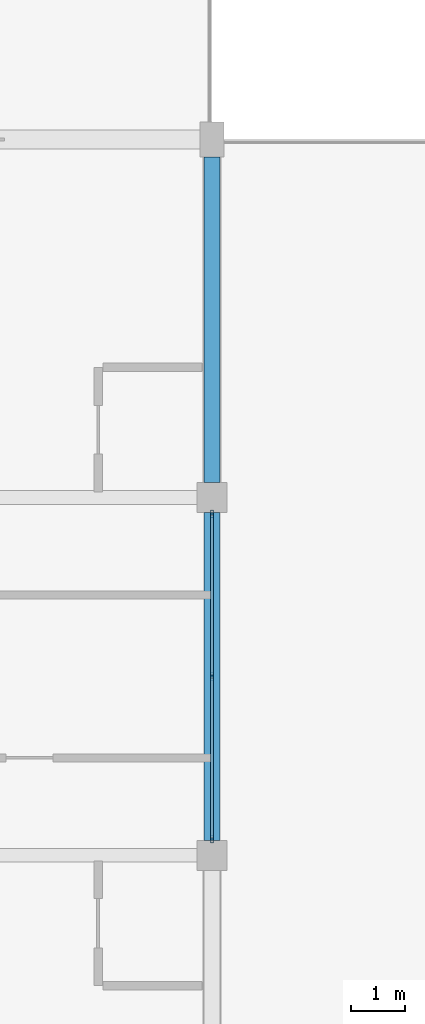
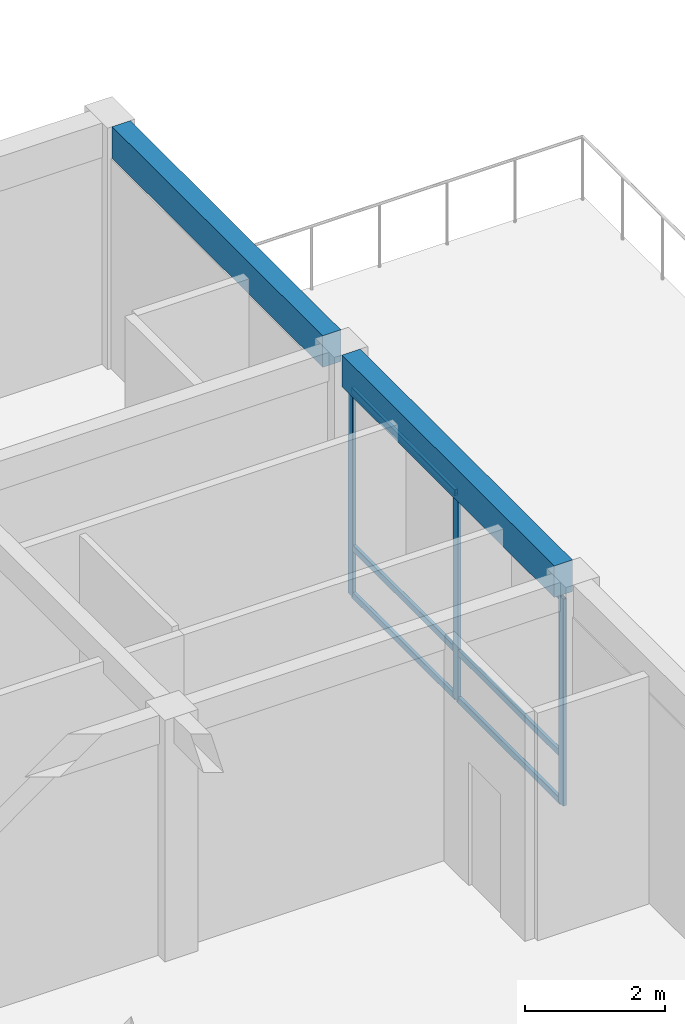
# One storey, part 47 of 92: 9 members, 2 beams, 1 element without a shape of its own.
"""IFC4 building model written with IfcOpenShell, lengths in metres."""

from ifc_helpers import new_model, si_unit, direction, frame, origin, origin_2d, place, context, subcontext, project, spatial, rectangle, hollow_rectangle, extrude, material, material_profile, profile_set, type_object, element, aggregate, save


model = new_model("IFC4")

# Units and contexts
model_context = context("Model", 3, precision=1e-05, world=origin(), true_north=direction((0.0, 1.0)))
body_context = subcontext(model_context, "Body", "Model", "MODEL_VIEW")
ifc_project = project(units=[si_unit("LENGTHUNIT", "METRE"), si_unit("AREAUNIT", "SQUARE_METRE"), si_unit("VOLUMEUNIT", "CUBIC_METRE"), si_unit("PLANEANGLEUNIT", "RADIAN"), si_unit("MASSUNIT", "GRAM", prefix="KILO")], contexts=[model_context])

# Site, building, storey
site_placement = place(None, origin())
site = spatial("IfcSite", under=ifc_project, at=site_placement, CompositionType="ELEMENT")
building_placement = place(site_placement, origin())
building = spatial("IfcBuilding", under=site, at=building_placement, Name="Kernevlak Ridge Housing Community", CompositionType="ELEMENT")
storey_placement = place(building_placement, frame((0.0, 0.0, 4.199951171875)))
storey = spatial("IfcBuildingStorey", under=building, at=storey_placement, Name="L01", CompositionType="ELEMENT", Elevation=4.199951171875)

# Curtain wall, members
ifc_material_1 = material(Name="Aluminium EN AW-6060 anodised and laminated glass", Category="aluminium")
curtain_wall_type = type_object("IfcCurtainWallType", Name="CW-13", PredefinedType="NOTDEFINED", material=ifc_material_1)
curtain_wall_placement = place(storey_placement, origin())
curtain_wall = element("IfcCurtainWall", 1, at=curtain_wall_placement, inside=storey, type_object=curtain_wall_type, Name="Curtain wall CW-13 CW-L01-060", PredefinedType="NOTDEFINED")
ifc_material_2 = material(Name="Aluminium EN AW-6060 anodised", Category="aluminium")
ifc_material_profile_1 = material_profile(ifc_material_2, hollow_rectangle(XDim=0.054931640625, YDim=0.139892578125, WallThickness=0.00390625, InnerFilletRadius=0.001953125, OuterFilletRadius=0.00390625, at=origin_2d()), Name="ALU 55x140x4")
ifc_profile_set_1 = profile_set([ifc_material_profile_1], Name="Aluminium EN AW-6060 anodised")
member_type_1 = type_object("IfcMemberType", Name="MU-01", PredefinedType="MULLION", material=ifc_profile_set_1)
member_1_placement = place(storey_placement, frame((152.39990234375, 89.50244140625, 0.0), z_axis=(0.0, 0.0, 1.0), x_axis=(-1.0, 0.0, 0.0)))
member_1 = element("IfcMember", 2, at=member_1_placement, type_object=member_type_1, Name="CW-13 mullion 1", PredefinedType="MULLION", context=body_context, shape_type="SweptSolid", body=[
    extrude(hollow_rectangle(XDim=0.054931640625, YDim=0.139892578125, WallThickness=0.00390625, InnerFilletRadius=0.001953125, OuterFilletRadius=0.00390625, at=origin_2d()), origin(), (0.0, 0.0, 1.0), 3.60009765625),
])
member_2_placement = place(storey_placement, frame((152.39990234375, 92.5, 0.0), z_axis=(0.0, 0.0, 1.0), x_axis=(-1.0, 0.0, 0.0)))
member_2 = element("IfcMember", 3, at=member_2_placement, type_object=member_type_1, Name="CW-13 mullion 2", PredefinedType="MULLION", context=body_context, shape_type="SweptSolid", body=[
    extrude(hollow_rectangle(XDim=0.054931640625, YDim=0.139892578125, WallThickness=0.00390625, InnerFilletRadius=0.001953125, OuterFilletRadius=0.00390625, at=origin_2d()), origin(), (0.0, 0.0, 1.0), 3.60009765625),
])
member_3_placement = place(storey_placement, frame((152.39990234375, 95.49755859375, 0.0), z_axis=(0.0, 0.0, 1.0), x_axis=(-1.0, 0.0, 0.0)))
member_3 = element("IfcMember", 4, at=member_3_placement, type_object=member_type_1, Name="CW-13 mullion 3", PredefinedType="MULLION", context=body_context, shape_type="SweptSolid", body=[
    extrude(hollow_rectangle(XDim=0.054931640625, YDim=0.139892578125, WallThickness=0.00390625, InnerFilletRadius=0.001953125, OuterFilletRadius=0.00390625, at=origin_2d()), origin(), (0.0, 0.0, 1.0), 3.60009765625),
])

# Beams
ifc_material_3 = material(Name="Concrete C35/45", Category="concrete")
ifc_material_profile_2 = material_profile(ifc_material_3, rectangle(XDim=0.300048828125, YDim=0.550048828125, at=origin_2d()), Name="RC 300x550")
ifc_profile_set_2 = profile_set([ifc_material_profile_2], Name="Concrete C35/45")
beam_type = type_object("IfcBeamType", Name="SP-01", PredefinedType="SPANDREL", material=ifc_profile_set_2)
beam_1_placement = place(storey_placement, frame((152.39990234375, 89.47509765625, 3.925048828125), z_axis=(0.0, 1.0, 0.0), x_axis=(-1.0, 0.0, 0.0)))
element("IfcBeam", 5, at=beam_1_placement, inside=storey, type_object=beam_type, Name="Beam SP-01 L01 627", PredefinedType="SPANDREL", context=body_context, shape_type="SweptSolid", body=[
    extrude(rectangle(XDim=0.300048828125, YDim=0.550048828125, at=origin_2d()), origin(), (0.0, 0.0, 1.0), 6.0498046875),
])
beam_2_placement = place(storey_placement, frame((152.39990234375, 96.074951171875, 3.925048828125), z_axis=(0.0, 1.0, 0.0), x_axis=(-1.0, 0.0, 0.0)))
element("IfcBeam", 6, at=beam_2_placement, inside=storey, type_object=beam_type, Name="Beam SP-01 L01 628", PredefinedType="SPANDREL", context=body_context, shape_type="SweptSolid", body=[
    extrude(rectangle(XDim=0.300048828125, YDim=0.550048828125, at=origin_2d()), origin(), (0.0, 0.0, 1.0), 6.0),
])

# Member
ifc_material_profile_3 = material_profile(ifc_material_2, hollow_rectangle(XDim=0.054931640625, YDim=0.110107421875, WallThickness=0.00390625, InnerFilletRadius=0.001953125, OuterFilletRadius=0.00390625, at=origin_2d()), Name="ALU 55x110x4")
ifc_profile_set_3 = profile_set([ifc_material_profile_3], Name="Aluminium EN AW-6060 anodised")
member_type_2 = type_object("IfcMemberType", Name="TM-01", PredefinedType="USERDEFINED", material=ifc_profile_set_3)
member_4_placement = place(storey_placement, frame((152.39990234375, 89.530029296875, 0.027587890625), z_axis=(0.0, 1.0, 0.0), x_axis=(-1.0, 0.0, 0.0)))
member_4 = element("IfcMember", 7, at=member_4_placement, type_object=member_type_2, Name="CW-13 transom 1.1", ObjectType="TRANSOM", PredefinedType="USERDEFINED", context=body_context, shape_type="SweptSolid", body=[
    extrude(hollow_rectangle(XDim=0.054931640625, YDim=0.110107421875, WallThickness=0.00390625, InnerFilletRadius=0.001953125, OuterFilletRadius=0.00390625, at=origin_2d()), origin(), (0.0, 0.0, 1.0), 2.9423828125),
])

member_5_placement = place(storey_placement, frame((152.39990234375, 89.530029296875, 0.85009765625), z_axis=(0.0, 1.0, 0.0), x_axis=(-1.0, 0.0, 0.0)))
member_5 = element("IfcMember", 8, at=member_5_placement, type_object=member_type_2, Name="CW-13 transom 1.2", ObjectType="TRANSOM", PredefinedType="USERDEFINED", context=body_context, shape_type="SweptSolid", body=[
    extrude(hollow_rectangle(XDim=0.054931640625, YDim=0.110107421875, WallThickness=0.00390625, InnerFilletRadius=0.001953125, OuterFilletRadius=0.00390625, at=origin_2d()), origin(), (0.0, 0.0, 1.0), 2.9423828125),
])

member_6_placement = place(storey_placement, frame((152.39990234375, 89.530029296875, 3.572509765625), z_axis=(0.0, 1.0, 0.0), x_axis=(-1.0, 0.0, 0.0)))
member_6 = element("IfcMember", 9, at=member_6_placement, type_object=member_type_2, Name="CW-13 transom 1.3", ObjectType="TRANSOM", PredefinedType="USERDEFINED", context=body_context, shape_type="SweptSolid", body=[
    extrude(hollow_rectangle(XDim=0.054931640625, YDim=0.110107421875, WallThickness=0.00390625, InnerFilletRadius=0.001953125, OuterFilletRadius=0.00390625, at=origin_2d()), origin(), (0.0, 0.0, 1.0), 2.9423828125),
])

member_7_placement = place(storey_placement, frame((152.39990234375, 92.527587890625, 0.027587890625), z_axis=(0.0, 1.0, 0.0), x_axis=(-1.0, 0.0, 0.0)))
member_7 = element("IfcMember", 10, at=member_7_placement, type_object=member_type_2, Name="CW-13 transom 2.1", ObjectType="TRANSOM", PredefinedType="USERDEFINED", context=body_context, shape_type="SweptSolid", body=[
    extrude(hollow_rectangle(XDim=0.054931640625, YDim=0.110107421875, WallThickness=0.00390625, InnerFilletRadius=0.001953125, OuterFilletRadius=0.00390625, at=origin_2d()), origin(), (0.0, 0.0, 1.0), 2.9423828125),
])

member_8_placement = place(storey_placement, frame((152.39990234375, 92.527587890625, 0.85009765625), z_axis=(0.0, 1.0, 0.0), x_axis=(-1.0, 0.0, 0.0)))
member_8 = element("IfcMember", 11, at=member_8_placement, type_object=member_type_2, Name="CW-13 transom 2.2", ObjectType="TRANSOM", PredefinedType="USERDEFINED", context=body_context, shape_type="SweptSolid", body=[
    extrude(hollow_rectangle(XDim=0.054931640625, YDim=0.110107421875, WallThickness=0.00390625, InnerFilletRadius=0.001953125, OuterFilletRadius=0.00390625, at=origin_2d()), origin(), (0.0, 0.0, 1.0), 2.9423828125),
])

member_9_placement = place(storey_placement, frame((152.39990234375, 92.527587890625, 3.572509765625), z_axis=(0.0, 1.0, 0.0), x_axis=(-1.0, 0.0, 0.0)))
member_9 = element("IfcMember", 12, at=member_9_placement, type_object=member_type_2, Name="CW-13 transom 2.3", ObjectType="TRANSOM", PredefinedType="USERDEFINED", context=body_context, shape_type="SweptSolid", body=[
    extrude(hollow_rectangle(XDim=0.054931640625, YDim=0.110107421875, WallThickness=0.00390625, InnerFilletRadius=0.001953125, OuterFilletRadius=0.00390625, at=origin_2d()), origin(), (0.0, 0.0, 1.0), 2.9423828125),
])

aggregate(curtain_wall, [member_1, member_2, member_3, member_4, member_5, member_6, member_7, member_8, member_9])

save(model, "model.ifc")
